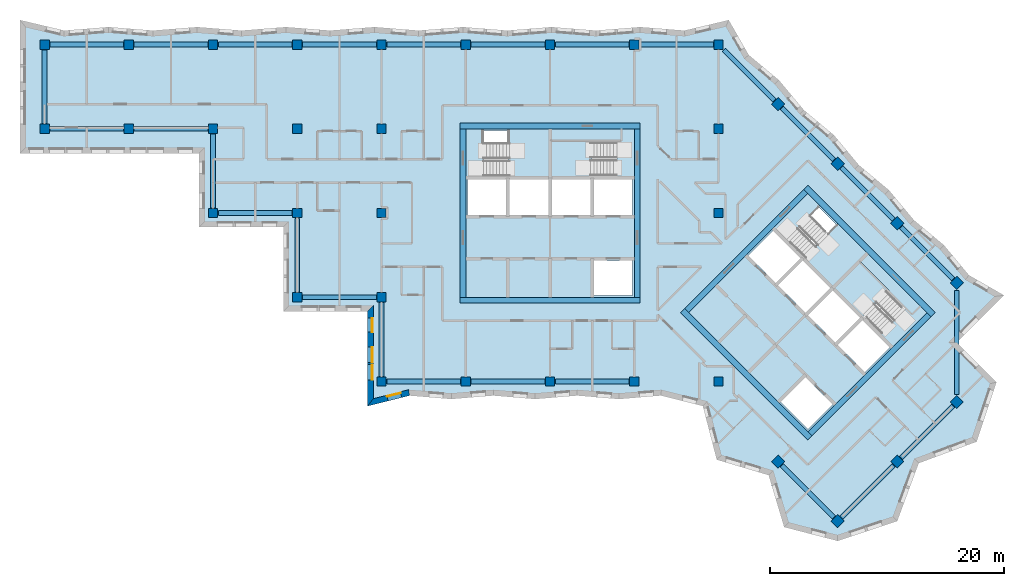
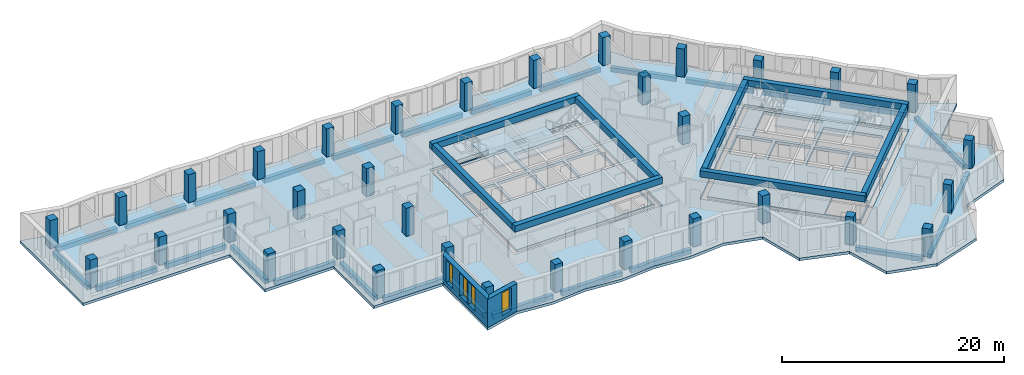
# One storey, part 1 of 11: 35 beams, 34 columns, 7 slabs, 4 windows, 2 walls, 20 openings, 4 elements without a shape of their own.
"""IFC4 building model written with IfcOpenShell, lengths in metres."""

from ifc_helpers import new_model, si_unit, direction, frame, frame_2d, origin, origin_2d, place, context, subcontext, project, spatial, polyline, rectangle, outline, extrude, material, layer, layer_set, material_profile, profile_set, type_object, element, fill, aggregate, save


model = new_model("IFC4")

# Units and contexts
model_context = context("Model", 3, precision=1e-05, world=origin(), true_north=direction((0.0, 1.0)))
body_context = subcontext(model_context, "Body", "Model", "MODEL_VIEW")
ifc_project = project(units=[si_unit("LENGTHUNIT", "METRE"), si_unit("AREAUNIT", "SQUARE_METRE"), si_unit("VOLUMEUNIT", "CUBIC_METRE"), si_unit("PLANEANGLEUNIT", "RADIAN"), si_unit("MASSUNIT", "GRAM", prefix="KILO")], contexts=[model_context])

# Site, building, storey
site_placement = place(None, origin())
site = spatial("IfcSite", under=ifc_project, at=site_placement, CompositionType="ELEMENT")
building_placement = place(site_placement, origin())
building = spatial("IfcBuilding", under=site, at=building_placement, Name="Windrow Commons", CompositionType="ELEMENT")
storey_placement = place(building_placement, frame((0.0, 0.0, 189.6)))
storey = spatial("IfcBuildingStorey", under=building, at=storey_placement, Name="L51", CompositionType="ELEMENT", Elevation=189.6)

# Columns
ifc_material_1 = material(Name="Concrete C50/60", Category="concrete")
ifc_material_profile_1 = material_profile(ifc_material_1, rectangle(XDim=0.8, YDim=0.8, at=origin_2d()))
ifc_profile_set_1 = profile_set([ifc_material_profile_1], Name="Concrete C50/60")
column_type = type_object("IfcColumnType", Name="RC COLUMN 800x800 C50/60", PredefinedType="COLUMN", material=ifc_profile_set_1)
for number, where, z_axis, x_axis, name in (
    (1, (21.6, 64.8, 0.0), (0.0, 0.0, 1.0), (1.0, 0.0, 0.0), "C-Z4-04I"),
    (2, (21.6, 72.0, 0.0), (0.0, 0.0, 1.0), (1.0, 0.0, 0.0), "C-Z4-04J"),
    (3, (28.8, 64.8, 0.0), (0.0, 0.0, 1.0), (1.0, 0.0, 0.0), "C-Z4-05I"),
    (4, (28.8, 72.0, 0.0), (0.0, 0.0, 1.0), (1.0, 0.0, 0.0), "C-Z4-05J"),
    (5, (36.0, 57.6, 0.0), (0.0, 0.0, 1.0), (1.0, 0.0, 0.0), "C-Z4-06H"),
    (6, (36.0, 64.8, 0.0), (0.0, 0.0, 1.0), (1.0, 0.0, 0.0), "C-Z4-06I"),
    (7, (36.0, 72.0, 0.0), (0.0, 0.0, 1.0), (1.0, 0.0, 0.0), "C-Z4-06J"),
    (8, (43.2, 50.4, 0.0), (0.0, 0.0, 1.0), (1.0, 0.0, 0.0), "C-Z4-07G"),
    (9, (43.2, 57.6, 0.0), (0.0, 0.0, 1.0), (1.0, 0.0, 0.0), "C-Z4-07H"),
    (10, (43.2, 64.8, 0.0), (0.0, 0.0, 1.0), (1.0, 0.0, 0.0), "C-Z4-07I"),
    (11, (43.2, 72.0, 0.0), (0.0, 0.0, 1.0), (1.0, 0.0, 0.0), "C-Z4-07J"),
    (12, (50.4, 43.2, 0.0), (0.0, 0.0, 1.0), (1.0, 0.0, 0.0), "C-Z4-08F"),
    (13, (50.4, 50.4, 0.0), (0.0, 0.0, 1.0), (1.0, 0.0, 0.0), "C-Z4-08G"),
    (14, (50.4, 57.6, 0.0), (0.0, 0.0, 1.0), (1.0, 0.0, 0.0), "C-Z4-08H"),
    (15, (50.4, 64.8, 0.0), (0.0, 0.0, 1.0), (1.0, 0.0, 0.0), "C-Z4-08I"),
    (16, (50.4, 72.0, 0.0), (0.0, 0.0, 1.0), (1.0, 0.0, 0.0), "C-Z4-08J"),
    (17, (57.6, 43.2, 0.0), (0.0, 0.0, 1.0), (1.0, 0.0, 0.0), "C-Z4-09F"),
    (18, (57.6, 72.0, 0.0), (0.0, 0.0, 1.0), (1.0, 0.0, 0.0), "C-Z4-09J"),
    (19, (64.8, 43.2, 0.0), (0.0, 0.0, 1.0), (1.0, 0.0, 0.0), "C-Z4-10F"),
    (20, (64.8, 72.0, 0.0), (0.0, 0.0, 1.0), (1.0, 0.0, 0.0), "C-Z4-10J"),
    (21, (72.0, 43.2, 0.0), (0.0, 0.0, 1.0), (1.0, 0.0, 0.0), "C-Z4-11F"),
    (22, (72.0, 72.0, 0.0), (0.0, 0.0, 1.0), (1.0, 0.0, 0.0), "C-Z4-11J"),
    (23, (79.2, 43.2, 0.0), (0.0, 0.0, 1.0), (1.0, 0.0, 0.0), "C-Z4-12F"),
    (24, (79.2, 57.6, 0.0), (0.0, 0.0, 1.0), (1.0, 0.0, 0.0), "C-Z4-12H"),
    (25, (79.2, 64.8, 0.0), (0.0, 0.0, 1.0), (1.0, 0.0, 0.0), "C-Z4-12I"),
    (26, (79.2, 72.0, 0.0), (0.0, 0.0, 1.0), (1.0, 0.0, 0.0), "C-Z4-12J"),
    (27, (84.2912, 66.9088, 0.0), (0.0, 0.0, 1.0), (0.7071067812, -0.7071067812, 0.0), "C-Z4-P2Q"),
    (28, (89.3823, 61.8177, 0.0), (0.0, 0.0, 1.0), (0.7071067812, -0.7071067812, 0.0), "C-Z4-P3Q"),
    (29, (94.4735, 56.7265, 0.0), (0.0, 0.0, 1.0), (0.7071067812, -0.7071067812, 0.0), "C-Z4-P4Q"),
    (30, (99.5647, 51.6353, 0.0), (0.0, 0.0, 1.0), (0.7071067812, -0.7071067812, 0.0), "C-Z4-P5Q"),
    (31, (84.2912, 36.3618, 0.0), (0.0, 0.0, 1.0), (0.7071067812, -0.7071067812, 0.0), "C-Z4-P5T"),
    (32, (99.5647, 41.453, 0.0), (0.0, 0.0, 1.0), (0.7071067812, -0.7071067812, 0.0), "C-Z4-P6R"),
    (33, (94.4735, 36.3618, 0.0), (0.0, 0.0, 1.0), (0.7071067812, -0.7071067812, 0.0), "C-Z4-P6S"),
    (34, (89.3823, 31.2706, 0.0), (0.0, 0.0, 1.0), (0.7071067812, -0.7071067812, 0.0), "C-Z4-P6T"),
):
    element("IfcColumn", number, at=place(storey_placement, frame(where, z_axis=z_axis, x_axis=x_axis)), inside=storey, type_object=column_type, Name=name, PredefinedType="COLUMN", context=body_context, shape_type="SweptSolid", body=[
        extrude(rectangle(XDim=0.8, YDim=0.8, at=origin_2d()), origin(), (0.0, 0.0, 1.0), 3.1),
    ])

# Beams
ifc_material_2 = material(Name="Concrete C40/50", Category="concrete")
ifc_material_profile_2 = material_profile(ifc_material_2, rectangle(XDim=0.5, YDim=0.7, at=origin_2d()))
ifc_profile_set_2 = profile_set([ifc_material_profile_2], Name="Concrete C40/50")
beam_type_1 = type_object("IfcBeamType", Name="RC COUPLING BEAM 500x700 C40/50", PredefinedType="LINTEL", material=ifc_profile_set_2)
for number, where, z_axis, x_axis, name in (
    (35, (57.1, 50.15, 2.75), (1.0, 0.0, 0.0), (0.0, 1.0, 0.0), "Core A coupling beam outer-S"),
    (36, (57.1, 65.05, 2.75), (1.0, 0.0, 0.0), (0.0, 1.0, 0.0), "Core A coupling beam outer-N"),
):
    element("IfcBeam", number, at=place(storey_placement, frame(where, z_axis=z_axis, x_axis=x_axis)), inside=storey, type_object=beam_type_1, Name=name, PredefinedType="LINTEL", context=body_context, shape_type="SweptSolid", body=[
        extrude(rectangle(XDim=0.5, YDim=0.7, at=origin_2d()), origin(), (0.0, 0.0, 1.0), 15.4),
    ])
for number, where, z_axis, x_axis, name in (
    (37, (57.35, 50.4, 2.75), (0.0, 1.0, 0.0), (-1.0, 0.0, 0.0), "Core A coupling beam outer-W"),
    (38, (72.25, 50.4, 2.75), (0.0, 1.0, 0.0), (-1.0, 0.0, 0.0), "Core A coupling beam outer-E"),
):
    element("IfcBeam", number, at=place(storey_placement, frame(where, z_axis=z_axis, x_axis=x_axis)), inside=storey, type_object=beam_type_1, Name=name, PredefinedType="LINTEL", context=body_context, shape_type="SweptSolid", body=[
        extrude(rectangle(XDim=0.5, YDim=0.7, at=origin_2d()), origin(), (0.0, 0.0, 1.0), 14.4),
    ])
for number, where, z_axis, x_axis, name in (
    (39, (76.1241, 49.2665, 2.75), (0.7071067812, -0.7071067812, 0.0), (0.7071067812, 0.7071067812, 0.0), "Core B coupling beam outer-S"),
    (40, (86.66, 59.8024, 2.75), (0.7071067812, -0.7071067812, 0.0), (0.7071067812, 0.7071067812, 0.0), "Core B coupling beam outer-N"),
):
    element("IfcBeam", number, at=place(storey_placement, frame(where, z_axis=z_axis, x_axis=x_axis)), inside=storey, type_object=beam_type_1, Name=name, PredefinedType="LINTEL", context=body_context, shape_type="SweptSolid", body=[
        extrude(rectangle(XDim=0.5, YDim=0.7, at=origin_2d()), origin(), (0.0, 0.0, 1.0), 15.3999),
    ])
for number, where, z_axis, x_axis, name in (
    (41, (76.4776, 49.2665, 2.75), (0.7071067812, 0.7071067812, 0.0), (-0.7071067812, 0.7071067812, 0.0), "Core B coupling beam outer-W"),
    (42, (87.0135, 38.7306, 2.75), (0.7071067812, 0.7071067812, 0.0), (-0.7071067812, 0.7071067812, 0.0), "Core B coupling beam outer-E"),
):
    element("IfcBeam", number, at=place(storey_placement, frame(where, z_axis=z_axis, x_axis=x_axis)), inside=storey, type_object=beam_type_1, Name=name, PredefinedType="LINTEL", context=body_context, shape_type="SweptSolid", body=[
        extrude(rectangle(XDim=0.5, YDim=0.7, at=origin_2d()), origin(), (0.0, 0.0, 1.0), 14.4001),
    ])
ifc_material_3 = material(Name="Concrete C40/50", Category="concrete")
ifc_material_profile_3 = material_profile(ifc_material_3, rectangle(XDim=0.4, YDim=0.5, at=origin_2d()))
ifc_profile_set_3 = profile_set([ifc_material_profile_3], Name="Concrete C40/50")
beam_type_2 = type_object("IfcBeamType", Name="RC EDGE BEAM 400x500 C40/50", PredefinedType="SPANDREL", material=ifc_profile_set_3)
for number, where, z_axis, x_axis, name in (
    (43, (57.15, 43.2, -0.55), (-1.0, 0.0, 0.0), (0.0, -1.0, 0.0), "Edge beam L51 001"),
    (44, (50.4, 43.65, -0.55), (0.0, 1.0, 0.0), (-1.0, 0.0, 0.0), "Edge beam L51 002"),
    (45, (49.95, 50.4, -0.55), (-1.0, 0.0, 0.0), (0.0, -1.0, 0.0), "Edge beam L51 003"),
    (46, (43.2, 50.85, -0.55), (0.0, 1.0, 0.0), (-1.0, 0.0, 0.0), "Edge beam L51 004"),
    (47, (42.75, 57.6, -0.55), (-1.0, 0.0, 0.0), (0.0, -1.0, 0.0), "Edge beam L51 005"),
    (48, (36.0, 58.05, -0.55), (0.0, 1.0, 0.0), (-1.0, 0.0, 0.0), "Edge beam L51 006"),
    (49, (35.55, 64.8, -0.55), (-1.0, 0.0, 0.0), (0.0, -1.0, 0.0), "Edge beam L51 007"),
    (50, (28.35, 64.8, -0.55), (-1.0, 0.0, 0.0), (0.0, -1.0, 0.0), "Edge beam L51 008"),
    (51, (21.6, 65.25, -0.55), (0.0, 1.0, 0.0), (-1.0, 0.0, 0.0), "Edge beam L51 009"),
    (52, (22.05, 72.0, -0.55), (1.0, 0.0, 0.0), (0.0, 1.0, 0.0), "Edge beam L51 010"),
    (53, (29.25, 72.0, -0.55), (1.0, 0.0, 0.0), (0.0, 1.0, 0.0), "Edge beam L51 011"),
    (54, (36.45, 72.0, -0.55), (1.0, 0.0, 0.0), (0.0, 1.0, 0.0), "Edge beam L51 012"),
    (55, (43.65, 72.0, -0.55), (1.0, 0.0, 0.0), (0.0, 1.0, 0.0), "Edge beam L51 013"),
    (56, (50.85, 72.0, -0.55), (1.0, 0.0, 0.0), (0.0, 1.0, 0.0), "Edge beam L51 014"),
    (57, (58.05, 72.0, -0.55), (1.0, 0.0, 0.0), (0.0, 1.0, 0.0), "Edge beam L51 015"),
    (58, (65.25, 72.0, -0.55), (1.0, 0.0, 0.0), (0.0, 1.0, 0.0), "Edge beam L51 016"),
    (59, (72.45, 72.0, -0.55), (1.0, 0.0, 0.0), (0.0, 1.0, 0.0), "Edge beam L51 017"),
):
    element("IfcBeam", number, at=place(storey_placement, frame(where, z_axis=z_axis, x_axis=x_axis)), inside=storey, type_object=beam_type_2, Name=name, PredefinedType="SPANDREL", context=body_context, shape_type="SweptSolid", body=[
        extrude(rectangle(XDim=0.4, YDim=0.5, at=origin_2d()), origin(), (0.0, 0.0, 1.0), 6.3),
    ])
beam_1_placement = place(storey_placement, frame((79.65, 71.55, -0.55), z_axis=(0.7071067812, -0.7071067812, 0.0), x_axis=(0.7071067812, 0.7071067812, 0.0)))
element("IfcBeam", 60, at=beam_1_placement, inside=storey, type_object=beam_type_2, Name="Edge beam L51 018", PredefinedType="SPANDREL", context=body_context, shape_type="SweptSolid", body=[
    extrude(rectangle(XDim=0.4, YDim=0.5, at=origin_2d()), origin(), (0.0, 0.0, 1.0), 6.1136),
])
beam_2_placement = place(storey_placement, frame((84.6094, 66.5906, -0.55), z_axis=(0.7071067812, -0.7071067812, 0.0), x_axis=(0.7071067812, 0.7071067812, 0.0)))
element("IfcBeam", 61, at=beam_2_placement, inside=storey, type_object=beam_type_2, Name="Edge beam L51 019", PredefinedType="SPANDREL", context=body_context, shape_type="SweptSolid", body=[
    extrude(rectangle(XDim=0.4, YDim=0.5, at=origin_2d()), origin(), (0.0, 0.0, 1.0), 6.2999),
])
for number, where, z_axis, x_axis, name in (
    (62, (89.7005, 61.4995, -0.55), (0.7071067812, -0.7071067812, 0.0), (0.7071067812, 0.7071067812, 0.0), "Edge beam L51 020"),
    (63, (94.7917, 56.4083, -0.55), (0.7071067812, -0.7071067812, 0.0), (0.7071067812, 0.7071067812, 0.0), "Edge beam L51 021"),
):
    element("IfcBeam", number, at=place(storey_placement, frame(where, z_axis=z_axis, x_axis=x_axis)), inside=storey, type_object=beam_type_2, Name=name, PredefinedType="SPANDREL", context=body_context, shape_type="SweptSolid", body=[
        extrude(rectangle(XDim=0.4, YDim=0.5, at=origin_2d()), origin(), (0.0, 0.0, 1.0), 6.3),
    ])
beam_3_placement = place(storey_placement, frame((99.5647, 50.9989, -0.55), z_axis=(0.0, -1.0, 0.0), x_axis=(1.0, 0.0, 0.0)))
element("IfcBeam", 64, at=beam_3_placement, inside=storey, type_object=beam_type_2, Name="Edge beam L51 022", PredefinedType="SPANDREL", context=body_context, shape_type="SweptSolid", body=[
    extrude(rectangle(XDim=0.4, YDim=0.5, at=origin_2d()), origin(), (0.0, 0.0, 1.0), 8.9095),
])
for number, where, z_axis, x_axis, name in (
    (65, (99.2465, 41.1348, -0.55), (-0.7071067812, -0.7071067812, 0.0), (0.7071067812, -0.7071067812, 0.0), "Edge beam L51 023"),
    (66, (94.1553, 36.0436, -0.55), (-0.7071067812, -0.7071067812, 0.0), (0.7071067812, -0.7071067812, 0.0), "Edge beam L51 024"),
    (67, (89.0641, 31.5888, -0.55), (-0.7070988446, 0.7071147177, 0.0), (-0.7071147177, -0.7070988446, 0.0), "Edge beam L51 025"),
    (68, (71.55, 43.2, -0.55), (-1.0, 0.0, 0.0), (0.0, -1.0, 0.0), "Edge beam L51 026"),
    (69, (64.35, 43.2, -0.55), (-1.0, 0.0, 0.0), (0.0, -1.0, 0.0), "Edge beam L51 027"),
):
    element("IfcBeam", number, at=place(storey_placement, frame(where, z_axis=z_axis, x_axis=x_axis)), inside=storey, type_object=beam_type_2, Name=name, PredefinedType="SPANDREL", context=body_context, shape_type="SweptSolid", body=[
        extrude(rectangle(XDim=0.4, YDim=0.5, at=origin_2d()), origin(), (0.0, 0.0, 1.0), 6.3),
    ])

# Slab, openings
ifc_material_4 = material(Name="Concrete C40/50", Category="concrete")
ifc_layer_1 = layer(ifc_material_4, 0.3)
ifc_layer_set_1 = layer_set([ifc_layer_1], Name="CORE FLOOR SLAB 300 C40/50")
slab_type_1 = type_object("IfcSlabType", Name="CORE FLOOR SLAB 300 C40/50", PredefinedType="FLOOR", material=ifc_layer_set_1)
placement_1 = place(storey_placement, frame((0.0, 0.0, -0.3)))
slab_1 = element("IfcSlab", 70, at=placement_1, inside=storey, type_object=slab_type_1, Name="S-L51-core-A", PredefinedType="FLOOR", context=body_context, shape_type="SweptSolid", body=[
    extrude(outline(polyline([(57.6, 50.4), (72.0, 50.4), (72.0, 64.8), (57.6, 64.8), (57.6, 50.4)]), holes=[polyline([(68.55, 50.55), (71.85, 50.55), (71.85, 53.55), (68.55, 53.55), (68.55, 50.55)]), polyline([(57.75, 57.45), (61.05, 57.45), (61.05, 60.45), (57.75, 60.45), (57.75, 57.45)]), polyline([(61.35, 57.45), (64.65, 57.45), (64.65, 60.45), (61.35, 60.45), (61.35, 57.45)]), polyline([(64.95, 57.45), (68.25, 57.45), (68.25, 60.45), (64.95, 60.45), (64.95, 57.45)]), polyline([(68.55, 57.45), (71.85, 57.45), (71.85, 60.45), (68.55, 60.45), (68.55, 57.45)]), polyline([(59.1, 60.75), (64.65, 60.75), (64.65, 64.65), (59.1, 64.65), (59.1, 60.75)]), polyline([(64.95, 60.75), (70.5, 60.75), (70.5, 63.705), (64.95, 63.705), (64.95, 60.75)])]), origin(), (0.0, 0.0, 1.0), 0.3),
])
opening_1_placement = place(placement_1, origin())
element("IfcOpeningElement", 71, at=opening_1_placement, cuts=slab_1, Name="Slab opening S-L51-core-A 1", PredefinedType="OPENING", context=body_context, shape_type="SweptSolid", body=[
    extrude(outline(polyline([(68.555, 50.555), (68.555, 53.545), (71.845, 53.545), (71.845, 50.555), (68.555, 50.555)])), origin(), (0.0, 0.0, 1.0), 0.3),
])
opening_2_placement = place(placement_1, origin())
element("IfcOpeningElement", 72, at=opening_2_placement, cuts=slab_1, Name="Slab opening S-L51-core-A 2", PredefinedType="OPENING", context=body_context, shape_type="SweptSolid", body=[
    extrude(outline(polyline([(57.755, 57.455), (57.755, 60.445), (61.045, 60.445), (61.045, 57.455), (57.755, 57.455)])), origin(), (0.0, 0.0, 1.0), 0.3),
])
opening_3_placement = place(placement_1, origin())
element("IfcOpeningElement", 73, at=opening_3_placement, cuts=slab_1, Name="Slab opening S-L51-core-A 3", PredefinedType="OPENING", context=body_context, shape_type="SweptSolid", body=[
    extrude(outline(polyline([(61.355, 57.455), (61.355, 60.445), (64.645, 60.445), (64.645, 57.455), (61.355, 57.455)])), origin(), (0.0, 0.0, 1.0), 0.3),
])
opening_4_placement = place(placement_1, origin())
element("IfcOpeningElement", 74, at=opening_4_placement, cuts=slab_1, Name="Slab opening S-L51-core-A 4", PredefinedType="OPENING", context=body_context, shape_type="SweptSolid", body=[
    extrude(outline(polyline([(64.955, 57.455), (64.955, 60.445), (68.245, 60.445), (68.245, 57.455), (64.955, 57.455)])), origin(), (0.0, 0.0, 1.0), 0.3),
])
opening_5_placement = place(placement_1, origin())
element("IfcOpeningElement", 75, at=opening_5_placement, cuts=slab_1, Name="Slab opening S-L51-core-A 5", PredefinedType="OPENING", context=body_context, shape_type="SweptSolid", body=[
    extrude(outline(polyline([(68.555, 57.455), (68.555, 60.445), (71.845, 60.445), (71.845, 57.455), (68.555, 57.455)])), origin(), (0.0, 0.0, 1.0), 0.3),
])
opening_6_placement = place(placement_1, origin())
element("IfcOpeningElement", 76, at=opening_6_placement, cuts=slab_1, Name="Slab opening S-L51-core-A 6", PredefinedType="OPENING", context=body_context, shape_type="SweptSolid", body=[
    extrude(outline(polyline([(59.105, 60.755), (59.105, 64.645), (64.645, 64.645), (64.645, 60.755), (59.105, 60.755)])), origin(), (0.0, 0.0, 1.0), 0.3),
])
opening_7_placement = place(placement_1, origin())
element("IfcOpeningElement", 77, at=opening_7_placement, cuts=slab_1, Name="Slab opening S-L51-core-A 7", PredefinedType="OPENING", context=body_context, shape_type="SweptSolid", body=[
    extrude(outline(polyline([(64.955, 60.755), (64.955, 63.7), (70.495, 63.7), (70.495, 60.755), (64.955, 60.755)])), origin(), (0.0, 0.0, 1.0), 0.3),
])

slab_2 = element("IfcSlab", 78, at=placement_1, inside=storey, type_object=slab_type_1, Name="S-L51-core-B", PredefinedType="FLOOR", context=body_context, shape_type="SweptSolid", body=[
    extrude(outline(polyline([(76.6544, 49.0897), (86.8368, 38.9074), (97.0191, 49.0897), (86.8368, 59.2721), (76.6544, 49.0897)]), holes=[polyline([(84.5033, 41.453), (86.8368, 39.1195), (88.9581, 41.2409), (86.6246, 43.5743), (84.5033, 41.453)]), polyline([(81.7456, 53.9688), (84.079, 51.6353), (86.2004, 53.7566), (83.8669, 56.0901), (81.7456, 53.9688)]), polyline([(84.2912, 51.4232), (86.6246, 49.0897), (88.7459, 51.2111), (86.4125, 53.5445), (84.2912, 51.4232)]), polyline([(86.8368, 48.8776), (89.1702, 46.5442), (91.2915, 48.6655), (88.9581, 50.9989), (86.8368, 48.8776)]), polyline([(89.3823, 46.332), (91.7158, 43.9986), (93.8371, 46.1199), (91.5037, 48.4533), (89.3823, 46.332)]), polyline([(85.0336, 55.3476), (88.9581, 51.4232), (91.7158, 54.1809), (87.7913, 58.1054), (85.0336, 55.3476)]), polyline([(89.1702, 51.2111), (93.0946, 47.2866), (95.1841, 49.3761), (91.2597, 53.3006), (89.1702, 51.2111)])]), origin(), (0.0, 0.0, 1.0), 0.3),
])
opening_8_placement = place(placement_1, origin())
element("IfcOpeningElement", 79, at=opening_8_placement, cuts=slab_2, Name="Slab opening S-L51-core-B 1", PredefinedType="OPENING", context=body_context, shape_type="SweptSolid", body=[
    extrude(outline(polyline([(84.5104, 41.453), (86.6246, 43.5672), (88.951, 41.2409), (86.8368, 39.1266), (84.5104, 41.453)])), origin(), (0.0, 0.0, 1.0), 0.3),
])
opening_9_placement = place(placement_1, origin())
element("IfcOpeningElement", 80, at=opening_9_placement, cuts=slab_2, Name="Slab opening S-L51-core-B 2", PredefinedType="OPENING", context=body_context, shape_type="SweptSolid", body=[
    extrude(outline(polyline([(81.7527, 53.9688), (83.8669, 56.083), (86.1933, 53.7566), (84.079, 51.6424), (81.7527, 53.9688)])), origin(), (0.0, 0.0, 1.0), 0.3),
])
opening_10_placement = place(placement_1, origin())
element("IfcOpeningElement", 81, at=opening_10_placement, cuts=slab_2, Name="Slab opening S-L51-core-B 3", PredefinedType="OPENING", context=body_context, shape_type="SweptSolid", body=[
    extrude(outline(polyline([(84.2983, 51.4232), (86.4125, 53.5374), (88.7388, 51.2111), (86.6246, 49.0968), (84.2983, 51.4232)])), origin(), (0.0, 0.0, 1.0), 0.3),
])
opening_11_placement = place(placement_1, origin())
element("IfcOpeningElement", 82, at=opening_11_placement, cuts=slab_2, Name="Slab opening S-L51-core-B 4", PredefinedType="OPENING", context=body_context, shape_type="SweptSolid", body=[
    extrude(outline(polyline([(86.8439, 48.8776), (88.9581, 50.9918), (91.2844, 48.6655), (89.1702, 46.5513), (86.8439, 48.8776)])), origin(), (0.0, 0.0, 1.0), 0.3),
])
opening_12_placement = place(placement_1, origin())
element("IfcOpeningElement", 83, at=opening_12_placement, cuts=slab_2, Name="Slab opening S-L51-core-B 5", PredefinedType="OPENING", context=body_context, shape_type="SweptSolid", body=[
    extrude(outline(polyline([(89.3894, 46.332), (91.5037, 48.4462), (93.83, 46.1199), (91.7158, 44.0057), (89.3894, 46.332)])), origin(), (0.0, 0.0, 1.0), 0.3),
])
opening_13_placement = place(placement_1, origin())
element("IfcOpeningElement", 84, at=opening_13_placement, cuts=slab_2, Name="Slab opening S-L51-core-B 6", PredefinedType="OPENING", context=body_context, shape_type="SweptSolid", body=[
    extrude(outline(polyline([(85.0407, 55.3476), (87.7913, 58.0983), (91.7087, 54.1809), (88.9581, 51.4303), (85.0407, 55.3476)])), origin(), (0.0, 0.0, 1.0), 0.3),
])
opening_14_placement = place(placement_1, origin())
element("IfcOpeningElement", 85, at=opening_14_placement, cuts=slab_2, Name="Slab opening S-L51-core-B 7", PredefinedType="OPENING", context=body_context, shape_type="SweptSolid", body=[
    extrude(outline(polyline([(89.1773, 51.2111), (91.2597, 53.2935), (95.177, 49.3761), (93.0946, 47.2937), (89.1773, 51.2111)])), origin(), (0.0, 0.0, 1.0), 0.3),
])

# Stair, slab
ifc_material_5 = material(Name="Concrete C40/50", Category="concrete")
stair_type = type_object("IfcStairType", Name="Core stair", PredefinedType="HALF_TURN_STAIR", material=ifc_material_5)
placement_2 = place(storey_placement, origin())
stair_1 = element("IfcStair", 86, at=placement_2, inside=storey, type_object=stair_type, Name="L51 Exit stair A1 core A", PredefinedType="HALF_TURN_STAIR")
ifc_material_6 = material(Name="Concrete C40/50", Category="concrete")
ifc_layer_2 = layer(ifc_material_6, 0.2)
ifc_layer_set_2 = layer_set([ifc_layer_2], Name="Core stair landing")
slab_type_2 = type_object("IfcSlabType", Name="Core stair landing", PredefinedType="LANDING", material=ifc_layer_set_2)
placement_3 = place(storey_placement, frame((0.0, 0.0, 1.5)))
slab_3 = element("IfcSlab", 87, at=placement_3, type_object=slab_type_2, Name="ST-A1 landing 1", PredefinedType="LANDING", context=body_context, shape_type="SweptSolid", body=[
    extrude(outline(polyline([(61.22, 60.5), (64.8, 60.5), (64.8, 64.9), (61.22, 64.9), (61.22, 60.5)])), origin(), (0.0, 0.0, 1.0), 0.2),
])
aggregate(stair_1, [slab_3])

stair_2 = element("IfcStair", 88, at=placement_2, inside=storey, type_object=stair_type, Name="L51 Exit stair A2 core A", PredefinedType="HALF_TURN_STAIR")
slab_4 = element("IfcSlab", 89, at=placement_3, type_object=slab_type_2, Name="ST-A2 landing 1", PredefinedType="LANDING", context=body_context, shape_type="SweptSolid", body=[
    extrude(outline(polyline([(64.8, 60.5), (68.38, 60.5), (68.38, 63.855), (64.8, 63.855), (64.8, 60.5)])), origin(), (0.0, 0.0, 1.0), 0.2),
])
aggregate(stair_2, [slab_4])

stair_3 = element("IfcStair", 90, at=placement_2, inside=storey, type_object=stair_type, Name="L51 Exit stair B1 core B", PredefinedType="HALF_TURN_STAIR")
slab_5 = element("IfcSlab", 91, at=placement_3, type_object=slab_type_2, Name="ST-B1 landing 1", PredefinedType="LANDING", context=body_context, shape_type="SweptSolid", body=[
    extrude(outline(polyline([(86.3559, 53.6718), (88.8874, 51.1403), (91.9986, 54.2516), (89.4672, 56.7831), (86.3559, 53.6718)])), origin(), (0.0, 0.0, 1.0), 0.2),
])
aggregate(stair_3, [slab_5])

stair_4 = element("IfcStair", 92, at=placement_2, inside=storey, type_object=stair_type, Name="L51 Exit stair B2 core B", PredefinedType="HALF_TURN_STAIR")
slab_6 = element("IfcSlab", 93, at=placement_3, type_object=slab_type_2, Name="ST-B2 landing 1", PredefinedType="LANDING", context=body_context, shape_type="SweptSolid", body=[
    extrude(outline(polyline([(88.8874, 51.1403), (91.4188, 48.6089), (93.7911, 50.9812), (91.2597, 53.5127), (88.8874, 51.1403)])), origin(), (0.0, 0.0, 1.0), 0.2),
])
aggregate(stair_4, [slab_6])

# Slab, openings
ifc_material_7 = material(Name="Concrete C40/50", Category="concrete")
ifc_layer_3 = layer(ifc_material_7, 0.3)
ifc_layer_set_3 = layer_set([ifc_layer_3], Name="FLOOR SLAB 300 C40/50")
slab_type_3 = type_object("IfcSlabType", Name="FLOOR SLAB 300 C40/50", PredefinedType="FLOOR", material=ifc_layer_set_3)
slab_7 = element("IfcSlab", 94, at=placement_1, inside=storey, type_object=slab_type_3, Name="S-L51-floor", PredefinedType="FLOOR", context=body_context, shape_type="SweptSolid", body=[
    extrude(outline(polyline([(84.8036, 30.7581), (89.3823, 29.5736), (94.4735, 31.2706), (96.312, 36.2204), (101.2617, 38.0588), (102.9588, 43.15), (99.5647, 46.5442), (103.5952, 50.5747), (100.6063, 52.2908), (98.4659, 54.8555), (95.9012, 56.9959), (93.7608, 59.5606), (91.1961, 61.701), (89.0557, 64.2656), (86.4911, 66.406), (84.3507, 68.9707), (81.786, 71.1111), (80.0699, 74.1), (76.2843, 73.2), (72.4987, 73.5), (68.713, 73.2), (64.9274, 73.5), (61.1418, 73.2), (57.3562, 73.5), (53.5706, 73.2), (49.7849, 73.5), (45.9993, 73.2), (42.2137, 73.5), (38.4281, 73.2), (34.6425, 73.5), (30.8569, 73.2), (27.0712, 73.5), (23.2856, 73.2), (19.5, 74.1), (19.5, 62.7), (34.8, 62.7), (34.8, 56.4), (42.0, 56.4), (42.0, 49.2), (49.2, 49.2), (49.2, 41.1), (52.782, 42.0), (56.364, 41.7), (59.946, 42.0), (63.5279, 41.7), (67.1099, 42.0), (70.6919, 41.7), (74.2739, 42.0), (77.8559, 41.1), (79.0404, 36.5213), (83.4777, 35.1954), (84.8036, 30.7581)]), holes=[polyline([(75.9473, 49.0897), (86.8368, 59.9792), (97.7262, 49.0897), (86.8368, 38.2003), (75.9473, 49.0897)]), polyline([(57.1, 49.9), (57.1, 65.3), (72.5, 65.3), (72.5, 49.9), (57.1, 49.9)])]), origin(), (0.0, 0.0, 1.0), 0.3),
])
opening_15_placement = place(placement_1, origin())
element("IfcOpeningElement", 95, at=opening_15_placement, cuts=slab_7, Name="Slab opening S-L51-floor 1", PredefinedType="OPENING", context=body_context, shape_type="SweptSolid", body=[
    extrude(outline(polyline([(75.9544, 49.0897), (86.8368, 59.9721), (97.7191, 49.0897), (86.8368, 38.2074), (75.9544, 49.0897)])), origin(), (0.0, 0.0, 1.0), 0.3),
])
opening_16_placement = place(placement_1, origin())
element("IfcOpeningElement", 96, at=opening_16_placement, cuts=slab_7, Name="Slab opening S-L51-floor 2", PredefinedType="OPENING", context=body_context, shape_type="SweptSolid", body=[
    extrude(outline(polyline([(57.105, 49.905), (57.105, 65.295), (72.495, 65.295), (72.495, 49.905), (57.105, 49.905)])), origin(), (0.0, 0.0, 1.0), 0.3),
])

# Wall, openings, windows
ifc_material_8 = material(Name="Brick masonry, red clay brick", Category="masonry")
ifc_layer_4 = layer(ifc_material_8, 0.5)
ifc_layer_set_4 = layer_set([ifc_layer_4], Name="Brick facade wall 500")
wall_type = type_object("IfcWallType", Name="Brick facade wall 500", PredefinedType="SOLIDWALL", material=ifc_layer_set_4)
wall_1_placement = place(storey_placement, frame((49.45, 49.45, 0.0), z_axis=(0.0, 0.0, 1.0), x_axis=(0.0, -1.0, 0.0)))
wall_1 = element("IfcWall", 97, at=wall_1_placement, inside=storey, type_object=wall_type, Name="Brick facade wall L51 39", PredefinedType="SOLIDWALL", context=body_context, shape_type="SweptSolid", body=[
    extrude(outline(polyline([(0.25, -0.25), (8.35, -0.25), (7.7088, 0.25), (-0.25, 0.25), (0.25, -0.25)])), origin(), (0.0, 0.0, 1.0), 3.1),
])
opening_17_placement = place(wall_1_placement, frame((3.3, 0.0, 0.45)))
opening_17 = element("IfcOpeningElement", 98, at=opening_17_placement, cuts=wall_1, Name="Opening W1Q", PredefinedType="OPENING", context=body_context, shape_type="SweptSolid", body=[
    extrude(rectangle(XDim=1.3, YDim=2.5, at=frame_2d((0.65, 1.25))), frame((0.0, 0.26, 0.0), z_axis=(0.0, -1.0, 0.0), x_axis=(1.0, 0.0, 0.0)), (0.0, 0.0, 1.0), 0.52),
])
opening_18_placement = place(wall_1_placement, frame((4.8, 0.0, 0.45)))
opening_18 = element("IfcOpeningElement", 99, at=opening_18_placement, cuts=wall_1, Name="Opening W1Q", PredefinedType="OPENING", context=body_context, shape_type="SweptSolid", body=[
    extrude(rectangle(XDim=1.3, YDim=2.5, at=frame_2d((0.65, 1.25))), frame((0.0, 0.26, 0.0), z_axis=(0.0, -1.0, 0.0), x_axis=(1.0, 0.0, 0.0)), (0.0, 0.0, 1.0), 0.52),
])
opening_19_placement = place(wall_1_placement, frame((0.825, 0.0, 0.45)))
opening_19 = element("IfcOpeningElement", 100, at=opening_19_placement, cuts=wall_1, Name="Opening W7E", PredefinedType="OPENING", context=body_context, shape_type="SweptSolid", body=[
    extrude(rectangle(XDim=1.2, YDim=2.5, at=frame_2d((0.6, 1.25))), frame((0.0, 0.26, 0.0), z_axis=(0.0, -1.0, 0.0), x_axis=(1.0, 0.0, 0.0)), (0.0, 0.0, 1.0), 0.52),
])
ifc_material_9 = material(Name="Clear float glass in anodised aluminium frame", Category="aluminium")
window_type_1 = type_object("IfcWindowType", Name="Window W1Q pair 1300x2500", PartitioningType="SINGLE_PANEL", PredefinedType="WINDOW", material=ifc_material_9)
window_1_placement = place(opening_17_placement, origin())
window_1 = element("IfcWindow", 101, at=window_1_placement, inside=storey, type_object=window_type_1, Name="Window L51 39.1A", OverallHeight=2.5, OverallWidth=1.3, PartitioningType="SINGLE_PANEL", PredefinedType="WINDOW", context=body_context, shape_type="SweptSolid", body=[
    extrude(rectangle(XDim=1.3, YDim=2.5, at=frame_2d((0.65, 1.25))), frame((0.0, 0.18, 0.0), z_axis=(0.0, -1.0, 0.0), x_axis=(1.0, 0.0, 0.0)), (0.0, 0.0, 1.0), 0.06),
])
fill(opening_17, window_1)
window_2_placement = place(opening_18_placement, origin())
window_2 = element("IfcWindow", 102, at=window_2_placement, inside=storey, type_object=window_type_1, Name="Window L51 39.1B", OverallHeight=2.5, OverallWidth=1.3, PartitioningType="SINGLE_PANEL", PredefinedType="WINDOW", context=body_context, shape_type="SweptSolid", body=[
    extrude(rectangle(XDim=1.3, YDim=2.5, at=frame_2d((0.65, 1.25))), frame((0.0, 0.18, 0.0), z_axis=(0.0, -1.0, 0.0), x_axis=(1.0, 0.0, 0.0)), (0.0, 0.0, 1.0), 0.06),
])
fill(opening_18, window_2)
ifc_material_10 = material(Name="Clear float glass in anodised aluminium frame", Category="aluminium")
window_type_2 = type_object("IfcWindowType", Name="Window W7 notch 1200x2500", PartitioningType="SINGLE_PANEL", PredefinedType="WINDOW", material=ifc_material_10)
window_3_placement = place(opening_19_placement, origin())
window_3 = element("IfcWindow", 103, at=window_3_placement, inside=storey, type_object=window_type_2, Name="Window L51 39.2", OverallHeight=2.5, OverallWidth=1.2, PartitioningType="SINGLE_PANEL", PredefinedType="WINDOW", context=body_context, shape_type="SweptSolid", body=[
    extrude(rectangle(XDim=1.2, YDim=2.5, at=frame_2d((0.6, 1.25))), frame((0.0, 0.18, 0.0), z_axis=(0.0, -1.0, 0.0), x_axis=(1.0, 0.0, 0.0)), (0.0, 0.0, 1.0), 0.06),
])
fill(opening_19, window_3)

# Wall, opening, window
wall_2_placement = place(storey_placement, frame((49.45, 41.4206, 0.0), z_axis=(0.0, 0.0, 1.0), x_axis=(0.9698558331, 0.2436794266, 0.0)))
wall_2 = element("IfcWall", 104, at=wall_2_placement, inside=storey, type_object=wall_type, Name="Brick facade wall L51 40", PredefinedType="SOLIDWALL", context=body_context, shape_type="SweptSolid", body=[
    extrude(outline(polyline([(-0.3206, -0.25), (3.3727, -0.25), (3.4559, 0.25), (0.3206, 0.25), (-0.3206, -0.25)])), origin(), (0.0, 0.0, 1.0), 3.1),
])
opening_20_placement = place(wall_2_placement, frame((1.4969, 0.0, 0.45)))
opening_20 = element("IfcOpeningElement", 105, at=opening_20_placement, cuts=wall_2, Name="Opening W7E", PredefinedType="OPENING", context=body_context, shape_type="SweptSolid", body=[
    extrude(rectangle(XDim=1.2, YDim=2.5, at=frame_2d((0.6, 1.25))), frame((0.0, 0.26, 0.0), z_axis=(0.0, -1.0, 0.0), x_axis=(1.0, 0.0, 0.0)), (0.0, 0.0, 1.0), 0.52),
])
window_4_placement = place(opening_20_placement, origin())
window_4 = element("IfcWindow", 106, at=window_4_placement, inside=storey, type_object=window_type_2, Name="Window L51 40.1", OverallHeight=2.5, OverallWidth=1.2, PartitioningType="SINGLE_PANEL", PredefinedType="WINDOW", context=body_context, shape_type="SweptSolid", body=[
    extrude(rectangle(XDim=1.2, YDim=2.5, at=frame_2d((0.6, 1.25))), frame((0.0, 0.18, 0.0), z_axis=(0.0, -1.0, 0.0), x_axis=(1.0, 0.0, 0.0)), (0.0, 0.0, 1.0), 0.06),
])
fill(opening_20, window_4)

save(model, "model.ifc")
